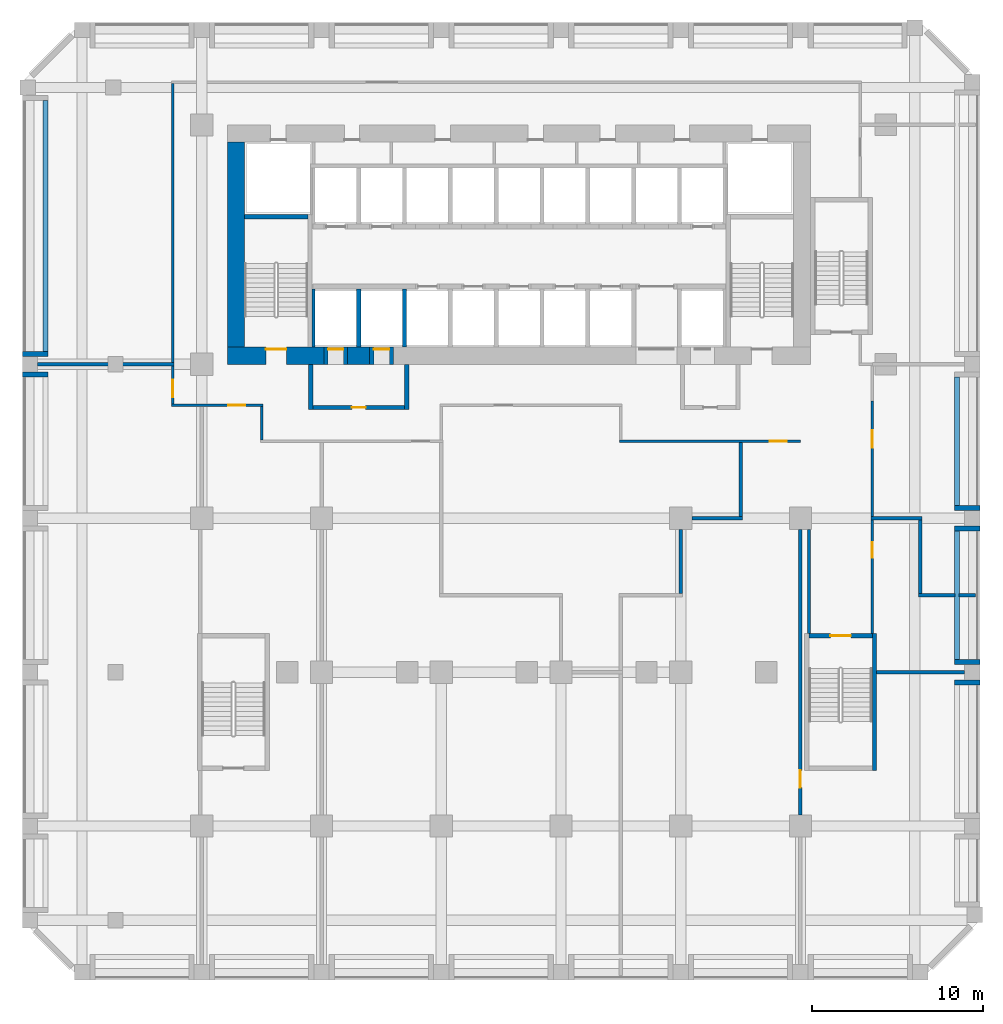
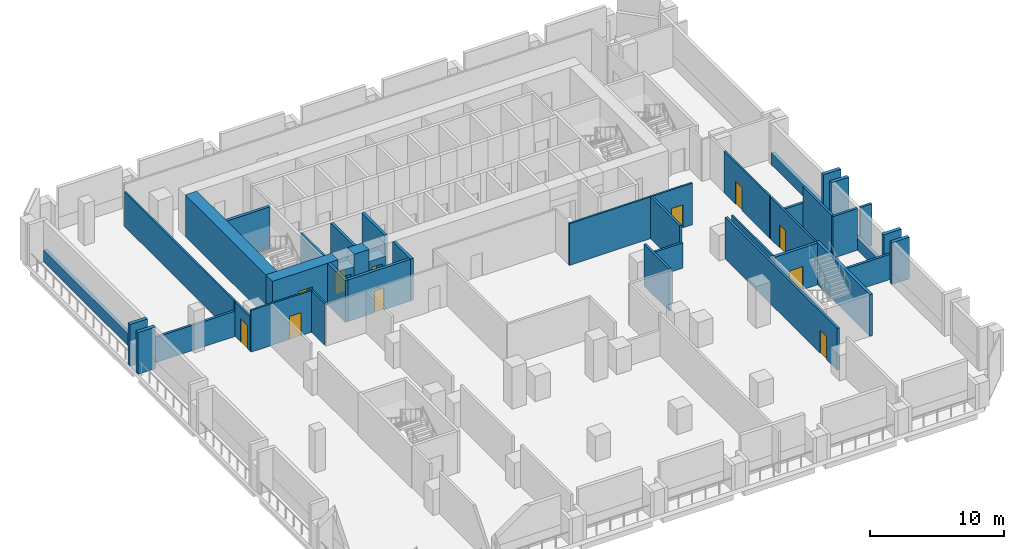
# One storey, part 3 of 10: 41 walls, 11 doors, 11 openings.
"""IFC4 building model written with IfcOpenShell, lengths in metres."""

import ifcopenshell
import ifcopenshell.guid

model = None  # the IFC model being written
_history = None  # IfcOwnerHistory: only IFC2X3 demands one
_inside = {}  # id of a spatial element -> (the spatial element, [elements in it])
_under = {}  # id of a project, library or spatial element -> (it, [spatial elements below it])
_declared = {}  # id of a project -> (the project, [libraries it declares])
_typed = {}  # id of a type object -> (the type object, [elements of that type])
_made_of = {}  # id of a material, layer set ... -> (it, [elements and type objects made of it])


def new_model(schema):
    """Start an empty IFC model of exactly this schema.

    Asked for "IFC4X3", IfcOpenShell would pick the latest addendum, in which some entities
    have other attributes; the version numbers below select the first issue.
    IFC2X3 requires an IfcOwnerHistory on every rooted entity: one is made here for all.
    """
    global model, _history
    if schema == "IFC4X3":
        model = ifcopenshell.file(schema_version=(4, 3, 0, 0))
    else:
        model = ifcopenshell.file(schema=schema)
    _inside.clear()
    _under.clear()
    _declared.clear()
    _typed.clear()
    _made_of.clear()
    _history = None
    if model.schema == "IFC2X3":
        org = make("IfcOrganization", Name="unknown")
        user = make(
            "IfcPersonAndOrganization",
            ThePerson=make("IfcPerson", FamilyName="unknown"),
            TheOrganization=org,
        )
        app = make(
            "IfcApplication",
            ApplicationDeveloper=org,
            Version="unknown",
            ApplicationFullName="unknown",
            ApplicationIdentifier="unknown",
        )
        _history = make(
            "IfcOwnerHistory",
            OwningUser=user,
            OwningApplication=app,
            ChangeAction="ADDED",
            CreationDate=0,
        )
    return model


def make(cls, **values):
    """One entity of the class cls with the attributes given. An attribute that is None is left unset."""
    return model.create_entity(
        cls, **{name: value for name, value in values.items() if value is not None}
    )


def rooted(cls, **values):
    """An entity with a GlobalId (a new one), such as an element, a storey or a relation."""
    return make(cls, GlobalId=ifcopenshell.guid.new(), OwnerHistory=_history, **values)


def si_unit(unit_type, name, prefix=None):
    """IfcSIUnit, for example si_unit("LENGTHUNIT", "METRE", prefix="MILLI")."""
    return make("IfcSIUnit", UnitType=unit_type, Prefix=prefix, Name=name)


def assignment(units):
    """IfcUnitAssignment: the units of a project."""
    return None if units is None else make("IfcUnitAssignment", Units=units)


def point(xyz):
    """IfcCartesianPoint."""
    return None if xyz is None else make("IfcCartesianPoint", Coordinates=xyz)


def direction(xyz):
    """IfcDirection."""
    return None if xyz is None else make("IfcDirection", DirectionRatios=xyz)


def frame(location, z_axis=None, x_axis=None):
    """IfcAxis2Placement3D, a coordinate frame: its origin and axes. An axis left out is left unset."""
    return make(
        "IfcAxis2Placement3D",
        Location=point(location),
        Axis=direction(z_axis),
        RefDirection=direction(x_axis),
    )


def frame_2d(location, x_axis=None):
    """IfcAxis2Placement2D, a coordinate frame in the plane: its origin and x axis."""
    return make(
        "IfcAxis2Placement2D", Location=point(location), RefDirection=direction(x_axis)
    )


def origin():
    """The frame at (0, 0, 0) with its axes left unset."""
    return frame((0.0, 0.0, 0.0))


def place(relative_to, where):
    """IfcLocalPlacement: puts the frame where relative to a parent placement (None: the world)."""
    return make(
        "IfcLocalPlacement", PlacementRelTo=relative_to, RelativePlacement=where
    )


def context(
    kind, dimensions, precision=None, world=None, true_north=None, identifier=None
):
    """IfcGeometricRepresentationContext, for example the 3D "Model" context."""
    return make(
        "IfcGeometricRepresentationContext",
        ContextIdentifier=identifier,
        ContextType=kind,
        CoordinateSpaceDimension=dimensions,
        Precision=precision,
        WorldCoordinateSystem=world,
        TrueNorth=true_north,
    )


def subcontext(parent, identifier, kind, view, scale=None):
    """IfcGeometricRepresentationSubContext, for example "Body" below "Model"."""
    return make(
        "IfcGeometricRepresentationSubContext",
        ContextIdentifier=identifier,
        ContextType=kind,
        ParentContext=parent,
        TargetScale=scale,
        TargetView=view,
    )


def project(units=None, contexts=None):
    """IfcProject with its units and contexts."""
    return rooted(
        "IfcProject",
        Name="project",
        RepresentationContexts=contexts,
        UnitsInContext=assignment(units),
    )


def spatial(cls, under=None, at=None, **own):
    """A site, building, storey or space (cls), placed at a placement, below another one or the project."""
    s = rooted(cls, ObjectPlacement=at, **own)
    if under is not None:
        _under.setdefault(under.id(), (under, []))[1].append(s)
    return s


def profile(cls, at=None, kind="AREA", **sizes):
    """A parametric profile (cls). Its sizes go by their IFC names, for example OverallWidth=200.0."""
    return make(cls, ProfileType=kind, Position=at, **sizes)


def rectangle(**sizes):
    """IfcRectangleProfileDef."""
    return profile("IfcRectangleProfileDef", **sizes)


def extrude(swept, where, along, depth):
    """IfcExtrudedAreaSolid: the profile swept, set in the frame where, extruded along a direction by depth."""
    return make(
        "IfcExtrudedAreaSolid",
        SweptArea=swept,
        Position=where,
        ExtrudedDirection=direction(along),
        Depth=depth,
    )


def shape(context_of_items, identifier, shape_type, items):
    """IfcShapeRepresentation: the items that make up one representation, for example the "Body"."""
    return make(
        "IfcShapeRepresentation",
        ContextOfItems=context_of_items,
        RepresentationIdentifier=identifier,
        RepresentationType=shape_type,
        Items=items,
    )


def source(mapping_origin, context_of_items, identifier, shape_type, items):
    """IfcRepresentationMap: a shape defined once, which mapped items show again and again."""
    return make(
        "IfcRepresentationMap",
        MappingOrigin=mapping_origin,
        MappedRepresentation=shape(context_of_items, identifier, shape_type, items),
    )


def transform(
    local_origin,
    x_axis=None,
    y_axis=None,
    z_axis=None,
    scale=None,
    scale2=None,
    scale3=None,
    uniform=True,
):
    """IfcCartesianTransformationOperator3D, or its non-uniform kind. x_axis, y_axis, z_axis: its Axis1, 2, 3."""
    if uniform:
        return make(
            "IfcCartesianTransformationOperator3D",
            Axis1=direction(x_axis),
            Axis2=direction(y_axis),
            LocalOrigin=point(local_origin),
            Scale=scale,
            Axis3=direction(z_axis),
        )
    return make(
        "IfcCartesianTransformationOperator3DnonUniform",
        Axis1=direction(x_axis),
        Axis2=direction(y_axis),
        LocalOrigin=point(local_origin),
        Scale=scale,
        Axis3=direction(z_axis),
        Scale2=scale2,
        Scale3=scale3,
    )


def mapped(mapping_source, mapping_target):
    """IfcMappedItem: shows the shape of a source again, moved by a transform."""
    return make(
        "IfcMappedItem", MappingSource=mapping_source, MappingTarget=mapping_target
    )


def material(Name=None, Category=None):
    """IfcMaterial."""
    return make("IfcMaterial", Name=Name, Category=Category)


def layer(
    of_material, thickness, ventilated=None, Name=None, Category=None, Priority=None
):
    """IfcMaterialLayer: one layer of a wall or slab, of a material (None: an air gap)."""
    return make(
        "IfcMaterialLayer",
        Material=of_material,
        LayerThickness=thickness,
        IsVentilated=ventilated,
        Name=Name,
        Category=Category,
        Priority=Priority,
    )


def layer_set(layers, Name=None):
    """IfcMaterialLayerSet."""
    return make("IfcMaterialLayerSet", MaterialLayers=layers, LayerSetName=Name)


def made_of(thing, what):
    """Note that an element or type object is made of a material, layer set ...; save() writes the relation."""
    if what is not None:
        _made_of.setdefault(what.id(), (what, []))[1].append(thing)
    return thing


def type_object(cls, material=None, **own):
    """A type object (cls), such as IfcWallType, which elements share."""
    return made_of(rooted(cls, **own), material)


def element(
    cls,
    number,
    at=None,
    inside=None,
    cuts=None,
    type_object=None,
    material=None,
    context=None,
    identifier="Body",
    shape_type=None,
    held_by="IfcProductDefinitionShape",
    body=None,
    shapes=None,
    **own,
):
    """One element of the class cls, such as IfcWall. Its Tag is "e" and its number.

    at: its placement. inside: the storey or other place that contains it. cuts: it is an
    opening in that element (IfcRelVoidsElement). A single representation is given by context,
    identifier, shape_type and body (its items); several are given by shapes. held_by: the class
    of the entity that holds the representations. save() writes the other relations.
    """
    e = rooted(cls, Tag="e%d" % number, ObjectPlacement=at, **own)
    if body is not None:
        shapes = [shape(context, identifier, shape_type, body)]
    if shapes is not None:
        e.Representation = make(held_by, Representations=shapes)
    if inside is not None:
        _inside.setdefault(inside.id(), (inside, []))[1].append(e)
    if cuts is not None:
        rooted(
            "IfcRelVoidsElement", RelatingBuildingElement=cuts, RelatedOpeningElement=e
        )
    if type_object is not None:
        _typed.setdefault(type_object.id(), (type_object, []))[1].append(e)
    return made_of(e, material)


def fill(opening, filler):
    """IfcRelFillsElement: the door or window that sits in an opening."""
    return rooted(
        "IfcRelFillsElement",
        RelatingOpeningElement=opening,
        RelatedBuildingElement=filler,
    )


def aggregate(whole, parts):
    """IfcRelAggregates: a whole, such as a stair, and the parts it consists of."""
    return rooted("IfcRelAggregates", RelatingObject=whole, RelatedObjects=parts)


def save(model, path):
    """Write the relations noted so far, then the file.

    IfcRelAggregates (storeys below a building ...), IfcRelContainedInSpatialStructure (elements
    in a storey), IfcRelDefinesByType, IfcRelAssociatesMaterial and IfcRelDeclares: one each for
    every whole, place, type object, material and project.
    """
    for whole, parts in _under.values():
        aggregate(whole, parts)
    for where, things in _inside.values():
        rooted(
            "IfcRelContainedInSpatialStructure",
            RelatedElements=things,
            RelatingStructure=where,
        )
    for kind, things in _typed.values():
        rooted("IfcRelDefinesByType", RelatedObjects=things, RelatingType=kind)
    for what, things in _made_of.values():
        rooted("IfcRelAssociatesMaterial", RelatedObjects=things, RelatingMaterial=what)
    for by, libraries in _declared.values():
        rooted("IfcRelDeclares", RelatingContext=by, RelatedDefinitions=libraries)
    model.write(path)


model = new_model("IFC4")

# Units and contexts
model_context = context("Model", 3, precision=1e-05, world=origin(), true_north=direction((0.0, 1.0)))
body_context = subcontext(model_context, "Body", "Model", "MODEL_VIEW")
ifc_project = project(units=[si_unit("LENGTHUNIT", "METRE"), si_unit("AREAUNIT", "SQUARE_METRE"), si_unit("VOLUMEUNIT", "CUBIC_METRE"), si_unit("PLANEANGLEUNIT", "RADIAN"), si_unit("MASSUNIT", "GRAM", prefix="KILO")], contexts=[model_context])

# Site, building, storey
site_placement = place(None, origin())
site = spatial("IfcSite", under=ifc_project, at=site_placement, CompositionType="ELEMENT")
building_placement = place(site_placement, origin())
building = spatial("IfcBuilding", under=site, at=building_placement, Name="Kilnfold Tower and Market Hall", CompositionType="ELEMENT")
storey_placement = place(building_placement, frame((0.0, 0.0, 59.0)))
storey = spatial("IfcBuildingStorey", under=building, at=storey_placement, Name="L13 Plant Transfer Level", CompositionType="ELEMENT", Elevation=59.0)

# Wall, opening, door
ifc_material_1 = material(Name="Gypsum board on steel studs", Category="steel")
ifc_layer_1 = layer(ifc_material_1, 0.14990234375)
ifc_layer_set_1 = layer_set([ifc_layer_1], Name="Gypsum board on steel studs")
wall_type_1 = type_object("IfcWallType", Name="WALL CORRIDOR 150", PredefinedType="PARTITIONING", material=ifc_layer_set_1)
wall_1_placement = place(storey_placement, frame((-19.27490234375, 5.60009765625, 0.0), z_axis=(0.0, 0.0, 1.0), x_axis=(1.0, 0.0, 0.0)))
wall_1 = element("IfcWall", 1, at=wall_1_placement, inside=storey, type_object=wall_type_1, Name="Partition LY11.1", PredefinedType="PARTITIONING", context=body_context, shape_type="SweptSolid", body=[
    extrude(rectangle(XDim=5.349853515625, YDim=0.14990234375, at=frame_2d((2.6748046875, 0.0))), origin(), (0.0, 0.0, 1.0), 3.800048828125),
])
opening_1_placement = place(wall_1_placement, frame((3.318115234375, 0.0, 0.0)))
opening_1 = element("IfcOpeningElement", 2, at=opening_1_placement, cuts=wall_1, Name="Opening D4", PredefinedType="OPENING", context=body_context, shape_type="SweptSolid", body=[
    extrude(rectangle(XDim=1.0, YDim=2.10009765625, at=frame_2d((0.5, 1.050048828125))), frame((0.0, 0.0849609375, 0.0), z_axis=(0.0, -1.0, 0.0), x_axis=(1.0, 0.0, 0.0)), (0.0, 0.0, 1.0), 0.169921875),
])
ifc_material_2 = material(Name="Timber veneer door leaf in steel frame", Category="steel")
door_type_1 = type_object("IfcDoorType", Name="DOOR SERVICE 1000 X2100", OperationType="NOTDEFINED", PredefinedType="DOOR", material=ifc_material_2)
door_1_placement = place(opening_1_placement, origin())
door_1 = element("IfcDoor", 3, at=door_1_placement, inside=storey, type_object=door_type_1, Name="Door D4", OperationType="SINGLE_SWING_RIGHT", OverallHeight=2.10009765625, OverallWidth=1.0, PredefinedType="DOOR", context=body_context, shape_type="SweptSolid", body=[
    extrude(rectangle(XDim=1.0, YDim=2.10009765625, at=frame_2d((0.5, 1.050048828125))), frame((0.0, 0.02490234375, 0.0), z_axis=(0.0, -1.0, 0.0), x_axis=(1.0, 0.0, 0.0)), (0.0, 0.0, 1.0), 0.050048828125),
])
fill(opening_1, door_1)

wall_2_placement = place(storey_placement, frame((-19.199951171875, 5.675048828125, 0.0), z_axis=(0.0, 0.0, 1.0), x_axis=(0.0, 1.0, 0.0)))
wall_2 = element("IfcWall", 4, at=wall_2_placement, inside=storey, type_object=wall_type_1, Name="Partition LY11.2", PredefinedType="PARTITIONING", context=body_context, shape_type="SweptSolid", body=[
    extrude(rectangle(XDim=2.23486328125, YDim=0.14990234375, at=frame_2d((1.117431640625, 0.0))), origin(), (0.0, 0.0, 1.0), 3.14990234375),
])
opening_2_placement = place(wall_2_placement, frame((0.408935546875, 0.0, 0.0)))
opening_2 = element("IfcOpeningElement", 5, at=opening_2_placement, cuts=wall_2, Name="Opening D4", PredefinedType="OPENING", context=body_context, shape_type="SweptSolid", body=[
    extrude(rectangle(XDim=1.0, YDim=2.10009765625, at=frame_2d((0.5, 1.050048828125))), frame((0.0, 0.0849609375, 0.0), z_axis=(0.0, -1.0, 0.0), x_axis=(1.0, 0.0, 0.0)), (0.0, 0.0, 1.0), 0.169921875),
])
door_2_placement = place(opening_2_placement, origin())
door_2 = element("IfcDoor", 6, at=door_2_placement, inside=storey, type_object=door_type_1, Name="Door D4", OperationType="SINGLE_SWING_LEFT", OverallHeight=2.10009765625, OverallWidth=1.0, PredefinedType="DOOR", context=body_context, shape_type="SweptSolid", body=[
    extrude(rectangle(XDim=1.0, YDim=2.10009765625, at=frame_2d((0.5, 1.050048828125))), frame((0.0, 0.02490234375, 0.0), z_axis=(0.0, -1.0, 0.0), x_axis=(1.0, 0.0, 0.0)), (0.0, 0.0, 1.0), 0.050048828125),
])
fill(opening_2, door_2)

# Wall
wall_3_placement = place(storey_placement, frame((-14.0, 5.52490234375, 0.0), z_axis=(0.0, 0.0, 1.0), x_axis=(0.0, -1.0, 0.0)))
element("IfcWall", 7, at=wall_3_placement, inside=storey, type_object=wall_type_1, Name="Partition LY11.4", PredefinedType="PARTITIONING", context=body_context, shape_type="SweptSolid", body=[
    extrude(rectangle(XDim=1.949951171875, YDim=0.14990234375, at=frame_2d((0.97509765625, 0.0))), origin(), (0.0, 0.0, 1.0), 3.800048828125),
])

# Wall, opening, door
wall_4_placement = place(storey_placement, frame((6.925048828125, 3.5, 0.0), z_axis=(0.0, 0.0, 1.0), x_axis=(1.0, 0.0, 0.0)))
wall_4 = element("IfcWall", 8, at=wall_4_placement, inside=storey, type_object=wall_type_1, Name="Partition LY11.5", PredefinedType="PARTITIONING", context=body_context, shape_type="SweptSolid", body=[
    extrude(rectangle(XDim=10.574951171875, YDim=0.14990234375, at=frame_2d((5.28759765625, 0.0))), origin(), (0.0, 0.0, 1.0), 3.800048828125),
])
opening_3_placement = place(wall_4_placement, frame((8.77197265625, 0.0, 0.0)))
opening_3 = element("IfcOpeningElement", 9, at=opening_3_placement, cuts=wall_4, Name="Opening D4", PredefinedType="OPENING", context=body_context, shape_type="SweptSolid", body=[
    extrude(rectangle(XDim=1.0, YDim=2.10009765625, at=frame_2d((0.5, 1.050048828125))), frame((0.0, 0.0849609375, 0.0), z_axis=(0.0, -1.0, 0.0), x_axis=(1.0, 0.0, 0.0)), (0.0, 0.0, 1.0), 0.169921875),
])
door_3_placement = place(opening_3_placement, origin())
door_3 = element("IfcDoor", 10, at=door_3_placement, inside=storey, type_object=door_type_1, Name="Door D4", OperationType="SINGLE_SWING_RIGHT", OverallHeight=2.10009765625, OverallWidth=1.0, PredefinedType="DOOR", context=body_context, shape_type="SweptSolid", body=[
    extrude(rectangle(XDim=1.0, YDim=2.10009765625, at=frame_2d((0.5, 1.050048828125))), frame((0.0, 0.02490234375, 0.0), z_axis=(0.0, -1.0, 0.0), x_axis=(1.0, 0.0, 0.0)), (0.0, 0.0, 1.0), 0.050048828125),
])
fill(opening_3, door_3)

# Wall
wall_5_placement = place(storey_placement, frame((18.0, -1.64990234375, 0.0), z_axis=(0.0, 0.0, 1.0), x_axis=(0.0, -1.0, 0.0)))
element("IfcWall", 11, at=wall_5_placement, inside=storey, type_object=wall_type_1, Name="Partition LY11.9", PredefinedType="PARTITIONING", context=body_context, shape_type="SweptSolid", body=[
    extrude(rectangle(XDim=6.10009765625, YDim=0.14990234375, at=frame_2d((3.050048828125, 0.0))), origin(), (0.0, 0.0, 1.0), 3.800048828125),
])

# Wall, opening, door
wall_6_placement = place(storey_placement, frame((21.699951171875, -7.75, 0.0), z_axis=(0.0, 0.0, 1.0), x_axis=(0.0, 1.0, 0.0)))
wall_6 = element("IfcWall", 12, at=wall_6_placement, inside=storey, type_object=wall_type_1, Name="Partition LY11.10", PredefinedType="PARTITIONING", context=body_context, shape_type="SweptSolid", body=[
    extrude(rectangle(XDim=6.659912109375, YDim=0.14990234375, at=frame_2d((3.330078125, 0.0))), origin(), (0.0, 0.0, 1.0), 3.800048828125),
])
opening_4_placement = place(wall_6_placement, frame((4.447998046875, 0.0, 0.0)))
opening_4 = element("IfcOpeningElement", 13, at=opening_4_placement, cuts=wall_6, Name="Opening D3", PredefinedType="OPENING", context=body_context, shape_type="SweptSolid", body=[
    extrude(rectangle(XDim=0.89990234375, YDim=2.10009765625, at=frame_2d((0.449951171875, 1.050048828125))), frame((0.0, 0.0849609375, 0.0), z_axis=(0.0, -1.0, 0.0), x_axis=(1.0, 0.0, 0.0)), (0.0, 0.0, 1.0), 0.169921875),
])
ifc_material_3 = material(Name="Timber veneer door leaf in steel frame", Category="steel")
door_type_2 = type_object("IfcDoorType", Name="DOOR WC 900 X2100", OperationType="NOTDEFINED", PredefinedType="DOOR", material=ifc_material_3)
door_4_placement = place(opening_4_placement, origin())
door_4 = element("IfcDoor", 14, at=door_4_placement, inside=storey, type_object=door_type_2, Name="Door D3", OperationType="SINGLE_SWING_LEFT", OverallHeight=2.10009765625, OverallWidth=0.89990234375, PredefinedType="DOOR", context=body_context, shape_type="SweptSolid", body=[
    extrude(rectangle(XDim=0.89990234375, YDim=2.10009765625, at=frame_2d((0.449951171875, 1.050048828125))), frame((0.0, 0.02490234375, 0.0), z_axis=(0.0, -1.0, 0.0), x_axis=(1.0, 0.0, 0.0)), (0.0, 0.0, 1.0), 0.050048828125),
])
fill(opening_4, door_4)

wall_7_placement = place(storey_placement, frame((21.699951171875, -0.909912109375, 0.0), z_axis=(0.0, 0.0, 1.0), x_axis=(0.0, 1.0, 0.0)))
wall_7 = element("IfcWall", 15, at=wall_7_placement, inside=storey, type_object=wall_type_1, Name="Partition LY11.12", PredefinedType="PARTITIONING", context=body_context, shape_type="SweptSolid", body=[
    extrude(rectangle(XDim=6.7578125, YDim=0.14990234375, at=frame_2d((3.37890625, 0.0))), origin(), (0.0, 0.0, 1.0), 3.800048828125),
])
opening_5_placement = place(wall_7_placement, frame((4.0419921875, 0.0, 0.0)))
opening_5 = element("IfcOpeningElement", 16, at=opening_5_placement, cuts=wall_7, Name="Opening D4", PredefinedType="OPENING", context=body_context, shape_type="SweptSolid", body=[
    extrude(rectangle(XDim=1.0, YDim=2.10009765625, at=frame_2d((0.5, 1.050048828125))), frame((0.0, 0.0849609375, 0.0), z_axis=(0.0, -1.0, 0.0), x_axis=(1.0, 0.0, 0.0)), (0.0, 0.0, 1.0), 0.169921875),
])
door_5_placement = place(opening_5_placement, origin())
door_5 = element("IfcDoor", 17, at=door_5_placement, inside=storey, type_object=door_type_1, Name="Door D4", OperationType="SINGLE_SWING_LEFT", OverallHeight=2.10009765625, OverallWidth=1.0, PredefinedType="DOOR", context=body_context, shape_type="SweptSolid", body=[
    extrude(rectangle(XDim=1.0, YDim=2.10009765625, at=frame_2d((0.5, 1.050048828125))), frame((0.0, 0.02490234375, 0.0), z_axis=(0.0, -1.0, 0.0), x_axis=(1.0, 0.0, 0.0)), (0.0, 0.0, 1.0), 0.050048828125),
])
fill(opening_5, door_5)

# Walls
wall_8_placement = place(storey_placement, frame((-19.199951171875, 8.090087890625, 0.0), z_axis=(0.0, 0.0, 1.0), x_axis=(0.0, 1.0, 0.0)))
element("IfcWall", 18, at=wall_8_placement, inside=storey, type_object=wall_type_1, Name="Partition LY11.16", PredefinedType="PARTITIONING", context=body_context, shape_type="SweptSolid", body=[
    extrude(rectangle(XDim=16.3349609375, YDim=0.14990234375, at=frame_2d((8.16748046875, 0.0))), origin(), (0.0, 0.0, 1.0), 3.14990234375),
])
ifc_material_4 = material(Name="Gypsum board on steel studs", Category="steel")
ifc_layer_2 = layer(ifc_material_4, 0.199951171875)
ifc_layer_set_2 = layer_set([ifc_layer_2], Name="Gypsum board on steel studs")
wall_type_2 = type_object("IfcWallType", Name="WALL PARTY 200", PredefinedType="PARTITIONING", material=ifc_layer_set_2)
wall_9_placement = place(storey_placement, frame((-27.10009765625, 8.0, 0.0), z_axis=(0.0, 0.0, 1.0), x_axis=(1.0, 0.0, 0.0)))
element("IfcWall", 19, at=wall_9_placement, inside=storey, type_object=wall_type_2, Name="Partition LY11.23", PredefinedType="PARTITIONING", context=body_context, shape_type="SweptSolid", body=[
    extrude(rectangle(XDim=7.97412109375, YDim=0.199951171875, at=frame_2d((3.987060546875, 0.0))), origin(), (0.0, 0.0, 1.0), 2.300048828125),
])
wall_10_placement = place(storey_placement, frame((14.0, -0.89990234375, 0.0), z_axis=(0.0, 0.0, 1.0), x_axis=(0.0, 1.0, 0.0)))
element("IfcWall", 20, at=wall_10_placement, inside=storey, type_object=wall_type_2, Name="Partition LY11.34", PredefinedType="PARTITIONING", context=body_context, shape_type="SweptSolid", body=[
    extrude(rectangle(XDim=4.323974609375, YDim=0.199951171875, at=frame_2d((2.162109375, 0.0))), origin(), (0.0, 0.0, 1.0), 3.800048828125),
])
wall_11_placement = place(storey_placement, frame((11.14990234375, -1.0, 0.0), z_axis=(0.0, 0.0, 1.0), x_axis=(1.0, 0.0, 0.0)))
element("IfcWall", 21, at=wall_11_placement, inside=storey, type_object=wall_type_2, Name="Partition LY11.35", PredefinedType="PARTITIONING", context=body_context, shape_type="SweptSolid", body=[
    extrude(rectangle(XDim=2.9501953125, YDim=0.199951171875, at=frame_2d((1.47509765625, 0.0))), origin(), (0.0, 0.0, 1.0), 2.300048828125),
])
wall_12_placement = place(storey_placement, frame((10.5, -5.39990234375, 0.0), z_axis=(0.0, 0.0, 1.0), x_axis=(0.0, 1.0, 0.0)))
element("IfcWall", 22, at=wall_12_placement, inside=storey, type_object=wall_type_2, Name="Partition LY11.36", PredefinedType="PARTITIONING", context=body_context, shape_type="SweptSolid", body=[
    extrude(rectangle(XDim=3.75, YDim=0.199951171875, at=frame_2d((1.875, 0.0))), origin(), (0.0, 0.0, 1.0), 3.800048828125),
])

# Wall, opening, door
wall_13_placement = place(storey_placement, frame((17.5, -18.35009765625, 0.0), z_axis=(0.0, 0.0, 1.0), x_axis=(0.0, 1.0, 0.0)))
wall_13 = element("IfcWall", 23, at=wall_13_placement, inside=storey, type_object=wall_type_2, Name="Partition LY11.39", PredefinedType="PARTITIONING", context=body_context, shape_type="SweptSolid", body=[
    extrude(rectangle(XDim=16.7001953125, YDim=0.199951171875, at=frame_2d((8.35009765625, 0.0))), origin(), (0.0, 0.0, 1.0), 3.800048828125),
])
opening_6_placement = place(wall_13_placement, frame((1.60009765625, 0.0, 0.0)))
opening_6 = element("IfcOpeningElement", 24, at=opening_6_placement, cuts=wall_13, Name="Opening D4", PredefinedType="OPENING", context=body_context, shape_type="SweptSolid", body=[
    extrude(rectangle(XDim=1.0, YDim=2.10009765625, at=frame_2d((0.5, 1.050048828125))), frame((0.0, 0.10986328125, 0.0), z_axis=(0.0, -1.0, 0.0), x_axis=(1.0, 0.0, 0.0)), (0.0, 0.0, 1.0), 0.219970703125),
])
door_6_placement = place(opening_6_placement, origin())
door_6 = element("IfcDoor", 25, at=door_6_placement, inside=storey, type_object=door_type_1, Name="Door D4", OperationType="SINGLE_SWING_LEFT", OverallHeight=2.10009765625, OverallWidth=1.0, PredefinedType="DOOR", context=body_context, shape_type="SweptSolid", body=[
    extrude(rectangle(XDim=1.0, YDim=2.10009765625, at=frame_2d((0.5, 1.050048828125))), frame((0.0, 0.02490234375, 0.0), z_axis=(0.0, -1.0, 0.0), x_axis=(1.0, 0.0, 0.0)), (0.0, 0.0, 1.0), 0.050048828125),
])
fill(opening_6, door_6)

# Walls
wall_14_placement = place(storey_placement, frame((21.949951171875, -10.0, 0.0), z_axis=(0.0, 0.0, 1.0), x_axis=(1.0, 0.0, 0.0)))
element("IfcWall", 26, at=wall_14_placement, inside=storey, type_object=wall_type_2, Name="Partition LY11.41", PredefinedType="PARTITIONING", context=body_context, shape_type="SweptSolid", body=[
    extrude(rectangle(XDim=5.150146484375, YDim=0.199951171875, at=frame_2d((2.5751953125, 0.0))), origin(), (0.0, 0.0, 1.0), 2.300048828125),
])
wall_15_placement = place(storey_placement, frame((21.6259765625, -1.0, 0.0), z_axis=(0.0, 0.0, 1.0), x_axis=(1.0, 0.0, 0.0)))
element("IfcWall", 27, at=wall_15_placement, inside=storey, type_object=wall_type_2, Name="Partition LY11.42", PredefinedType="PARTITIONING", context=body_context, shape_type="SweptSolid", body=[
    extrude(rectangle(XDim=2.97412109375, YDim=0.199951171875, at=frame_2d((1.487060546875, 0.0))), origin(), (0.0, 0.0, 1.0), 2.300048828125),
])
wall_16_placement = place(storey_placement, frame((24.5, -5.39990234375, 0.0), z_axis=(0.0, 0.0, 1.0), x_axis=(0.0, 1.0, 0.0)))
element("IfcWall", 28, at=wall_16_placement, inside=storey, type_object=wall_type_2, Name="Partition LY11.43", PredefinedType="PARTITIONING", context=body_context, shape_type="SweptSolid", body=[
    extrude(rectangle(XDim=4.2998046875, YDim=0.199951171875, at=frame_2d((2.14990234375, 0.0))), origin(), (0.0, 0.0, 1.0), 3.800048828125),
])
wall_17_placement = place(storey_placement, frame((24.39990234375, -5.5, 0.0), z_axis=(0.0, 0.0, 1.0), x_axis=(1.0, 0.0, 0.0)))
element("IfcWall", 29, at=wall_17_placement, inside=storey, type_object=wall_type_2, Name="Partition LY11.44", PredefinedType="PARTITIONING", context=body_context, shape_type="SweptSolid", body=[
    extrude(rectangle(XDim=2.130126953125, YDim=0.199951171875, at=frame_2d((1.06494140625, 0.0))), origin(), (0.0, 0.0, 1.0), 3.800048828125),
])
wall_18_placement = place(storey_placement, frame((26.77001953125, -5.5, 0.0), z_axis=(0.0, 0.0, 1.0), x_axis=(1.0, 0.0, 0.0)))
element("IfcWall", 30, at=wall_18_placement, inside=storey, type_object=wall_type_2, Name="Partition LY11.45", PredefinedType="PARTITIONING", context=body_context, shape_type="SweptSolid", body=[
    extrude(rectangle(XDim=0.97998046875, YDim=0.199951171875, at=frame_2d((0.489990234375, 0.0))), origin(), (0.0, 0.0, 1.0), 3.800048828125),
])

# Wall, opening, door
ifc_material_5 = material(Name="Concrete C80", Category="concrete")
ifc_layer_3 = layer(ifc_material_5, 1.0)
ifc_layer_set_3 = layer_set([ifc_layer_3], Name="Concrete C80")
wall_type_3 = type_object("IfcWallType", Name="CORE WALL 1000 C80", PredefinedType="SHEAR", material=ifc_layer_set_3)
shared_shape_1 = source(origin(), body_context, "Body", "SweptSolid", [
    extrude(rectangle(XDim=5.6298828125, YDim=1.0, at=frame_2d((2.81494140625, 0.0))), origin(), (0.0, 0.0, 1.0), 3.800048828125),
])
wall_19_placement = place(storey_placement, frame((-16.0, 8.5, 0.0), z_axis=(0.0, 0.0, 1.0), x_axis=(1.0, 0.0, 0.0)))
wall_19 = element("IfcWall", 31, at=wall_19_placement, inside=storey, type_object=wall_type_3, Name="Core outer wall south", PredefinedType="SHEAR", context=body_context, shape_type="MappedRepresentation", body=[
    mapped(shared_shape_1, transform((0.0, 0.0, 0.0))),
])
opening_7_placement = place(wall_19_placement, frame((2.25, 0.0, 0.0)))
opening_7 = element("IfcOpeningElement", 32, at=opening_7_placement, cuts=wall_19, Name="Opening SD1", PredefinedType="OPENING", context=body_context, shape_type="SweptSolid", body=[
    extrude(rectangle(XDim=1.199951171875, YDim=2.10009765625, at=frame_2d((0.60009765625, 1.050048828125))), frame((0.0, 0.510009765625, 0.0), z_axis=(0.0, -1.0, 0.0), x_axis=(1.0, 0.0, 0.0)), (0.0, 0.0, 1.0), 1.02001953125),
])
ifc_material_6 = material(Name="Steel door set with fire-resisting leaf", Category="steel")
door_type_3 = type_object("IfcDoorType", Name="STAIR FLOOR DOOR 1200X2100", OperationType="NOTDEFINED", PredefinedType="DOOR", material=ifc_material_6)
door_7_placement = place(opening_7_placement, origin())
door_7 = element("IfcDoor", 33, at=door_7_placement, inside=storey, type_object=door_type_3, Name="Exit stair ST1 door", OperationType="DOUBLE_DOOR_SINGLE_SWING", OverallHeight=2.10009765625, OverallWidth=1.199951171875, PredefinedType="DOOR", context=body_context, shape_type="SweptSolid", body=[
    extrude(rectangle(XDim=1.199951171875, YDim=2.10009765625, at=frame_2d((0.60009765625, 1.050048828125))), frame((0.0, 0.40478515625, 0.0), z_axis=(0.0, -1.0, 0.0), x_axis=(1.0, 0.0, 0.0)), (0.0, 0.0, 1.0), 0.050048828125),
])
fill(opening_7, door_7)

# Walls
shared_shape_2 = source(origin(), body_context, "Body", "SweptSolid", [
    extrude(rectangle(XDim=1.280029296875, YDim=1.0, at=frame_2d((0.64013671875, 0.0))), origin(), (0.0, 0.0, 1.0), 3.800048828125),
])
wall_20_placement = place(storey_placement, frame((-8.969970703125, 8.5, 0.0), z_axis=(0.0, 0.0, 1.0), x_axis=(1.0, 0.0, 0.0)))
element("IfcWall", 34, at=wall_20_placement, inside=storey, type_object=wall_type_3, Name="Core outer wall south", PredefinedType="SHEAR", context=body_context, shape_type="MappedRepresentation", body=[
    mapped(shared_shape_2, transform((0.0, 0.0, 0.0))),
])
shared_shape_3 = source(origin(), body_context, "Body", "SweptSolid", [
    extrude(rectangle(XDim=12.0, YDim=1.0, at=frame_2d((6.0, 0.0))), origin(), (0.0, 0.0, 1.0), 3.800048828125),
])
wall_21_placement = place(storey_placement, frame((-15.5, 9.0, 0.0), z_axis=(0.0, 0.0, 1.0), x_axis=(0.0, 1.0, 0.0)))
element("IfcWall", 35, at=wall_21_placement, inside=storey, type_object=wall_type_3, Name="Core outer wall west", PredefinedType="SHEAR", context=body_context, shape_type="MappedRepresentation", body=[
    mapped(shared_shape_3, transform((0.0, 0.0, 0.0))),
])
ifc_material_7 = material(Name="Concrete C80", Category="concrete")
ifc_layer_4 = layer(ifc_material_7, 0.25)
ifc_layer_set_4 = layer_set([ifc_layer_4], Name="Concrete C80")
wall_type_4 = type_object("IfcWallType", Name="CORE WALL 250 C80", PredefinedType="SHEAR", material=ifc_layer_set_4)
shared_shape_4 = source(origin(), body_context, "Body", "SweptSolid", [
    extrude(rectangle(XDim=3.699951171875, YDim=0.25, at=frame_2d((1.85009765625, 0.0))), origin(), (0.0, 0.0, 1.0), 3.800048828125),
])
wall_22_placement = place(storey_placement, frame((-15.0, 16.625, 0.0), z_axis=(0.0, 0.0, 1.0), x_axis=(1.0, 0.0, 0.0)))
element("IfcWall", 36, at=wall_22_placement, inside=storey, type_object=wall_type_4, Name="Stair enclosure ST1", PredefinedType="SHEAR", context=body_context, shape_type="MappedRepresentation", body=[
    mapped(shared_shape_4, transform((0.0, 0.0, 0.0))),
])

# Wall, opening, door
wall_23_placement = place(storey_placement, frame((18.0, -7.875, 0.0), z_axis=(0.0, 0.0, 1.0), x_axis=(1.0, 0.0, 0.0)))
wall_23 = element("IfcWall", 37, at=wall_23_placement, inside=storey, type_object=wall_type_4, Name="Stair enclosure ST4", PredefinedType="SHEAR", context=body_context, shape_type="MappedRepresentation", body=[
    mapped(shared_shape_4, transform((0.0, 0.0, 0.0))),
])
opening_8_placement = place(wall_23_placement, frame((1.25, 0.0, 0.0)))
opening_8 = element("IfcOpeningElement", 38, at=opening_8_placement, cuts=wall_23, Name="Opening SD1", PredefinedType="OPENING", context=body_context, shape_type="SweptSolid", body=[
    extrude(rectangle(XDim=1.199951171875, YDim=2.10009765625, at=frame_2d((0.60009765625, 1.050048828125))), frame((0.0, 0.135009765625, 0.0), z_axis=(0.0, -1.0, 0.0), x_axis=(1.0, 0.0, 0.0)), (0.0, 0.0, 1.0), 0.27001953125),
])
door_8_placement = place(opening_8_placement, origin())
door_8 = element("IfcDoor", 39, at=door_8_placement, inside=storey, type_object=door_type_3, Name="Exit stair ST4 door", OperationType="DOUBLE_DOOR_SINGLE_SWING", OverallHeight=2.10009765625, OverallWidth=1.199951171875, PredefinedType="DOOR", context=body_context, shape_type="SweptSolid", body=[
    extrude(rectangle(XDim=1.199951171875, YDim=2.10009765625, at=frame_2d((0.60009765625, 1.050048828125))), frame((0.0, 0.02490234375, 0.0), z_axis=(0.0, -1.0, 0.0), x_axis=(1.0, 0.0, 0.0)), (0.0, 0.0, 1.0), 0.050048828125),
])
fill(opening_8, door_8)

# Walls
shared_shape_5 = source(origin(), body_context, "Body", "SweptSolid", [
    extrude(rectangle(XDim=8.0, YDim=0.25, at=frame_2d((4.0, 0.0))), origin(), (0.0, 0.0, 1.0), 3.800048828125),
])
wall_24_placement = place(storey_placement, frame((21.824951171875, -15.75, 0.0), z_axis=(0.0, 0.0, 1.0), x_axis=(0.0, 1.0, 0.0)))
element("IfcWall", 40, at=wall_24_placement, inside=storey, type_object=wall_type_4, Name="Stair enclosure ST4", PredefinedType="SHEAR", context=body_context, shape_type="MappedRepresentation", body=[
    mapped(shared_shape_5, transform((0.0, 0.0, 0.0))),
])
ifc_material_8 = material(Name="Precast concrete C50/60", Category="concrete")
ifc_layer_5 = layer(ifc_material_8, 0.300048828125)
ifc_layer_set_5 = layer_set([ifc_layer_5], Name="Precast concrete C50/60")
wall_type_5 = type_object("IfcWallType", Name="PRECAST WALL 300", PredefinedType="SOLIDWALL", material=ifc_layer_set_5)
shared_shape_6 = source(origin(), body_context, "Body", "SweptSolid", [
    extrude(rectangle(XDim=1.5, YDim=0.300048828125, at=frame_2d((0.75, 0.0))), origin(), (0.0, 0.0, 1.0), 3.800048828125),
])
for number, where, z_axis, x_axis, name in (
    (41, (28.0, -10.60009765625, 0.0), (0.0, 0.0, 1.0), (-1.0, 0.0, 0.0), "Plant wall L13 E"),
    (42, (28.0, -9.39990234375, 0.0), (0.0, 0.0, 1.0), (-1.0, 0.0, 0.0), "Plant wall L13 E"),
    (43, (28.0, -1.60009765625, 0.0), (0.0, 0.0, 1.0), (-1.0, 0.0, 0.0), "Plant wall L13 E"),
    (44, (28.0, -0.39990234375, 0.0), (0.0, 0.0, 1.0), (-1.0, 0.0, 0.0), "Plant wall L13 E"),
    (45, (-28.0, 8.60009765625, 0.0), (0.0, 0.0, 1.0), (1.0, 0.0, 0.0), "Plant wall L13 W"),
    (46, (-28.0, 7.39990234375, 0.0), (0.0, 0.0, 1.0), (1.0, 0.0, 0.0), "Plant wall L13 W"),
):
    element("IfcWall", number, at=place(storey_placement, frame(where, z_axis=z_axis, x_axis=x_axis)), inside=storey, type_object=wall_type_5, Name=name, PredefinedType="SOLIDWALL", context=body_context, shape_type="MappedRepresentation", body=[
        mapped(shared_shape_6, transform((0.0, 0.0, 0.0))),
    ])
shared_shape_7 = source(origin(), body_context, "Body", "SweptSolid", [
    extrude(rectangle(XDim=7.5, YDim=0.300048828125, at=frame_2d((3.75, 0.0))), origin(), (0.0, 0.0, 1.0), 1.10009765625),
])
for number, where, z_axis, x_axis, name in (
    (47, (26.64990234375, -9.25, 0.0), (0.0, 0.0, 1.0), (0.0, 1.0, 0.0), "Knee wall L13 E"),
    (48, (26.64990234375, -0.25, 0.0), (0.0, 0.0, 1.0), (0.0, 1.0, 0.0), "Knee wall L13 E"),
):
    element("IfcWall", number, at=place(storey_placement, frame(where, z_axis=z_axis, x_axis=x_axis)), inside=storey, type_object=wall_type_5, Name=name, PredefinedType="SOLIDWALL", context=body_context, shape_type="MappedRepresentation", body=[
        mapped(shared_shape_7, transform((0.0, 0.0, 0.0))),
    ])
shared_shape_8 = source(origin(), body_context, "Body", "SweptSolid", [
    extrude(rectangle(XDim=14.681884765625, YDim=0.300048828125, at=frame_2d((7.3408203125, 0.0))), origin(), (0.0, 0.0, 1.0), 1.10009765625),
])
wall_25_placement = place(storey_placement, frame((-26.64990234375, 23.431884765625, 0.0), z_axis=(0.0, 0.0, 1.0), x_axis=(0.0, -1.0, 0.0)))
element("IfcWall", 49, at=wall_25_placement, inside=storey, type_object=wall_type_5, Name="Knee wall L13 W", PredefinedType="SOLIDWALL", context=body_context, shape_type="MappedRepresentation", body=[
    mapped(shared_shape_8, transform((0.0, 0.0, 0.0))),
])

# Wall, opening, door
ifc_material_9 = material(Name="Gypsum shaft wall system")
ifc_layer_6 = layer(ifc_material_9, 1.0)
ifc_layer_set_6 = layer_set([ifc_layer_6], Name="Gypsum shaft wall system")
wall_type_6 = type_object("IfcWallType", Name="LOBBY WALL 1000", PredefinedType="PARTITIONING", material=ifc_layer_set_6)
shared_shape_9 = source(origin(), body_context, "Body", "SweptSolid", [
    extrude(rectangle(XDim=1.400146484375, YDim=1.0, at=frame_2d((0.7001953125, 0.0))), origin(), (0.0, 0.0, 1.0), 2.699951171875),
])
wall_26_placement = place(storey_placement, frame((-10.3701171875, 8.5, 0.0), z_axis=(0.0, 0.0, 1.0), x_axis=(1.0, 0.0, 0.0)))
wall_26 = element("IfcWall", 50, at=wall_26_placement, inside=storey, type_object=wall_type_6, Name="Core wall infill", PredefinedType="PARTITIONING", context=body_context, shape_type="MappedRepresentation", body=[
    mapped(shared_shape_9, transform((0.0, 0.0, 0.0))),
])
opening_9_placement = place(wall_26_placement, frame((0.25, 0.0, 0.0)))
opening_9 = element("IfcOpeningElement", 51, at=opening_9_placement, cuts=wall_26, Name="Opening LD1", PredefinedType="OPENING", context=body_context, shape_type="SweptSolid", body=[
    extrude(rectangle(XDim=0.89990234375, YDim=2.10009765625, at=frame_2d((0.449951171875, 1.050048828125))), frame((0.0, 0.510009765625, 0.0), z_axis=(0.0, -1.0, 0.0), x_axis=(1.0, 0.0, 0.0)), (0.0, 0.0, 1.0), 1.02001953125),
])
ifc_material_10 = material(Name="Steel door set with fire-resisting leaf", Category="steel")
door_type_4 = type_object("IfcDoorType", Name="FIREFIGHTING LANDING DOOR 900X2100", OperationType="NOTDEFINED", PredefinedType="DOOR", material=ifc_material_10)
door_9_placement = place(opening_9_placement, origin())
door_9 = element("IfcDoor", 52, at=door_9_placement, inside=storey, type_object=door_type_4, Name="Landing door FF1", OperationType="SLIDING_TO_LEFT", OverallHeight=2.10009765625, OverallWidth=0.89990234375, PredefinedType="DOOR", context=body_context, shape_type="SweptSolid", body=[
    extrude(rectangle(XDim=0.89990234375, YDim=2.10009765625, at=frame_2d((0.449951171875, 1.050048828125))), frame((0.0, 0.40478515625, 0.0), z_axis=(0.0, -1.0, 0.0), x_axis=(1.0, 0.0, 0.0)), (0.0, 0.0, 1.0), 0.050048828125),
])
fill(opening_9, door_9)

shared_shape_10 = source(origin(), body_context, "Body", "SweptSolid", [
    extrude(rectangle(XDim=1.39990234375, YDim=1.0, at=frame_2d((0.699951171875, 0.0))), origin(), (0.0, 0.0, 1.0), 2.699951171875),
])
wall_27_placement = place(storey_placement, frame((-7.68994140625, 8.5, 0.0), z_axis=(0.0, 0.0, 1.0), x_axis=(1.0, 0.0, 0.0)))
wall_27 = element("IfcWall", 53, at=wall_27_placement, inside=storey, type_object=wall_type_6, Name="Core wall infill", PredefinedType="PARTITIONING", context=body_context, shape_type="MappedRepresentation", body=[
    mapped(shared_shape_10, transform((0.0, 0.0, 0.0))),
])
opening_10_placement = place(wall_27_placement, frame((0.25, 0.0, 0.0)))
opening_10 = element("IfcOpeningElement", 54, at=opening_10_placement, cuts=wall_27, Name="Opening LD1", PredefinedType="OPENING", context=body_context, shape_type="SweptSolid", body=[
    extrude(rectangle(XDim=0.89990234375, YDim=2.10009765625, at=frame_2d((0.449951171875, 1.050048828125))), frame((0.0, 0.510009765625, 0.0), z_axis=(0.0, -1.0, 0.0), x_axis=(1.0, 0.0, 0.0)), (0.0, 0.0, 1.0), 1.02001953125),
])
door_10_placement = place(opening_10_placement, origin())
door_10 = element("IfcDoor", 55, at=door_10_placement, inside=storey, type_object=door_type_4, Name="Landing door FF2", OperationType="SLIDING_TO_RIGHT", OverallHeight=2.10009765625, OverallWidth=0.89990234375, PredefinedType="DOOR", context=body_context, shape_type="SweptSolid", body=[
    extrude(rectangle(XDim=0.89990234375, YDim=2.10009765625, at=frame_2d((0.449951171875, 1.050048828125))), frame((0.0, 0.40478515625, 0.0), z_axis=(0.0, -1.0, 0.0), x_axis=(1.0, 0.0, 0.0)), (0.0, 0.0, 1.0), 0.050048828125),
])
fill(opening_10, door_10)

# Walls
ifc_material_11 = material(Name="Gypsum shaft wall system")
ifc_layer_7 = layer(ifc_material_11, 0.25)
ifc_layer_set_7 = layer_set([ifc_layer_7], Name="Gypsum shaft wall system")
wall_type_7 = type_object("IfcWallType", Name="LOBBY WALL 250", PredefinedType="PARTITIONING", material=ifc_layer_set_7)
shared_shape_11 = source(origin(), body_context, "Body", "SweptSolid", [
    extrude(rectangle(XDim=2.64990234375, YDim=0.25, at=frame_2d((1.324951171875, 0.0))), origin(), (0.0, 0.0, 1.0), 3.800048828125),
])
for number, where, z_axis, x_axis, name in (
    (56, (-11.135009765625, 5.35009765625, 0.0), (0.0, 0.0, 1.0), (0.0, 1.0, 0.0), "Firefighting lobby wall"),
    (57, (-5.52490234375, 5.35009765625, 0.0), (0.0, 0.0, 1.0), (0.0, 1.0, 0.0), "Firefighting lobby wall"),
):
    element("IfcWall", number, at=place(storey_placement, frame(where, z_axis=z_axis, x_axis=x_axis)), inside=storey, type_object=wall_type_7, Name=name, PredefinedType="PARTITIONING", context=body_context, shape_type="MappedRepresentation", body=[
        mapped(shared_shape_11, transform((0.0, 0.0, 0.0))),
    ])

# Wall, opening, door
shared_shape_12 = source(origin(), body_context, "Body", "SweptSolid", [
    extrude(rectangle(XDim=5.360107421875, YDim=0.25, at=frame_2d((2.68017578125, 0.0))), origin(), (0.0, 0.0, 1.0), 3.800048828125),
])
wall_28_placement = place(storey_placement, frame((-11.010009765625, 5.47509765625, 0.0), z_axis=(0.0, 0.0, 1.0), x_axis=(1.0, 0.0, 0.0)))
wall_28 = element("IfcWall", 58, at=wall_28_placement, inside=storey, type_object=wall_type_7, Name="Firefighting lobby wall", PredefinedType="PARTITIONING", context=body_context, shape_type="MappedRepresentation", body=[
    mapped(shared_shape_12, transform((0.0, 0.0, 0.0))),
])
opening_11_placement = place(wall_28_placement, frame((2.280029296875, 0.0, 0.0)))
opening_11 = element("IfcOpeningElement", 59, at=opening_11_placement, cuts=wall_28, Name="Opening VD1", PredefinedType="OPENING", context=body_context, shape_type="SweptSolid", body=[
    extrude(rectangle(XDim=0.800048828125, YDim=2.0, at=frame_2d((0.39990234375, 1.0))), frame((0.0, 0.135009765625, 0.0), z_axis=(0.0, -1.0, 0.0), x_axis=(1.0, 0.0, 0.0)), (0.0, 0.0, 1.0), 0.27001953125),
])
ifc_material_12 = material(Name="Steel door set with fire-resisting leaf", Category="steel")
door_type_5 = type_object("IfcDoorType", Name="FIREFIGHTING LOBBY DOOR 800X2000", OperationType="NOTDEFINED", PredefinedType="DOOR", material=ifc_material_12)
door_11_placement = place(opening_11_placement, origin())
door_11 = element("IfcDoor", 60, at=door_11_placement, inside=storey, type_object=door_type_5, Name="Firefighting lobby door", OperationType="SINGLE_SWING_LEFT", OverallHeight=2.0, OverallWidth=0.800048828125, PredefinedType="DOOR", context=body_context, shape_type="SweptSolid", body=[
    extrude(rectangle(XDim=0.800048828125, YDim=2.0, at=frame_2d((0.39990234375, 1.0))), frame((0.0, 0.02490234375, 0.0), z_axis=(0.0, -1.0, 0.0), x_axis=(1.0, 0.0, 0.0)), (0.0, 0.0, 1.0), 0.050048828125),
])
fill(opening_11, door_11)

# Walls
ifc_material_13 = material(Name="Gypsum shaft wall system")
ifc_layer_8 = layer(ifc_material_13, 0.25)
ifc_layer_set_8 = layer_set([ifc_layer_8], Name="Gypsum shaft wall system")
wall_type_8 = type_object("IfcWallType", Name="SHAFT WALL 250", PredefinedType="PARTITIONING", material=ifc_layer_set_8)
shared_shape_13 = source(origin(), body_context, "Body", "SweptSolid", [
    extrude(rectangle(XDim=3.39990234375, YDim=0.25, at=frame_2d((1.699951171875, 0.0))), origin(), (0.0, 0.0, 1.0), 3.800048828125),
])
for number, where, z_axis, x_axis, name in (
    (61, (-5.64990234375, 9.0, 0.0), (0.0, 0.0, 1.0), (0.0, 1.0, 0.0), "Lift shaft wall"),
    (62, (-8.330078125, 9.0, 0.0), (0.0, 0.0, 1.0), (0.0, 1.0, 0.0), "Lift shaft wall"),
):
    element("IfcWall", number, at=place(storey_placement, frame(where, z_axis=z_axis, x_axis=x_axis)), inside=storey, type_object=wall_type_8, Name=name, PredefinedType="PARTITIONING", context=body_context, shape_type="MappedRepresentation", body=[
        mapped(shared_shape_13, transform((0.0, 0.0, 0.0))),
    ])
ifc_material_14 = material(Name="Gypsum shaft wall system")
ifc_layer_9 = layer(ifc_material_14, 0.1650390625)
ifc_layer_set_9 = layer_set([ifc_layer_9], Name="Gypsum shaft wall system")
wall_type_9 = type_object("IfcWallType", Name="SHAFT WALL 165", PredefinedType="PARTITIONING", material=ifc_layer_set_9)
shared_shape_14 = source(origin(), body_context, "Body", "SweptSolid", [
    extrude(rectangle(XDim=3.39990234375, YDim=0.1650390625, at=frame_2d((1.699951171875, 0.0))), origin(), (0.0, 0.0, 1.0), 3.800048828125),
])
wall_29_placement = place(storey_placement, frame((-10.967529296875, 9.0, 0.0), z_axis=(0.0, 0.0, 1.0), x_axis=(0.0, 1.0, 0.0)))
element("IfcWall", 63, at=wall_29_placement, inside=storey, type_object=wall_type_9, Name="Lift shaft wall", PredefinedType="PARTITIONING", context=body_context, shape_type="MappedRepresentation", body=[
    mapped(shared_shape_14, transform((0.0, 0.0, 0.0))),
])

save(model, "model.ifc")
